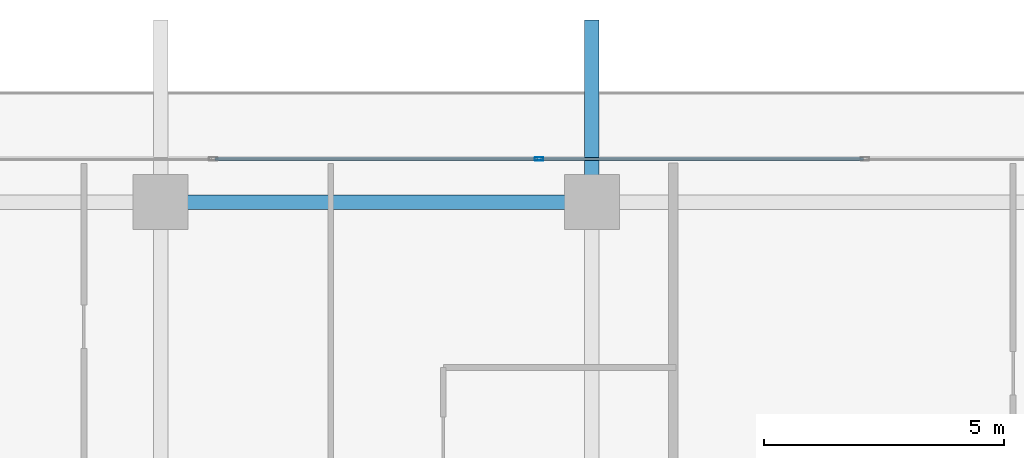
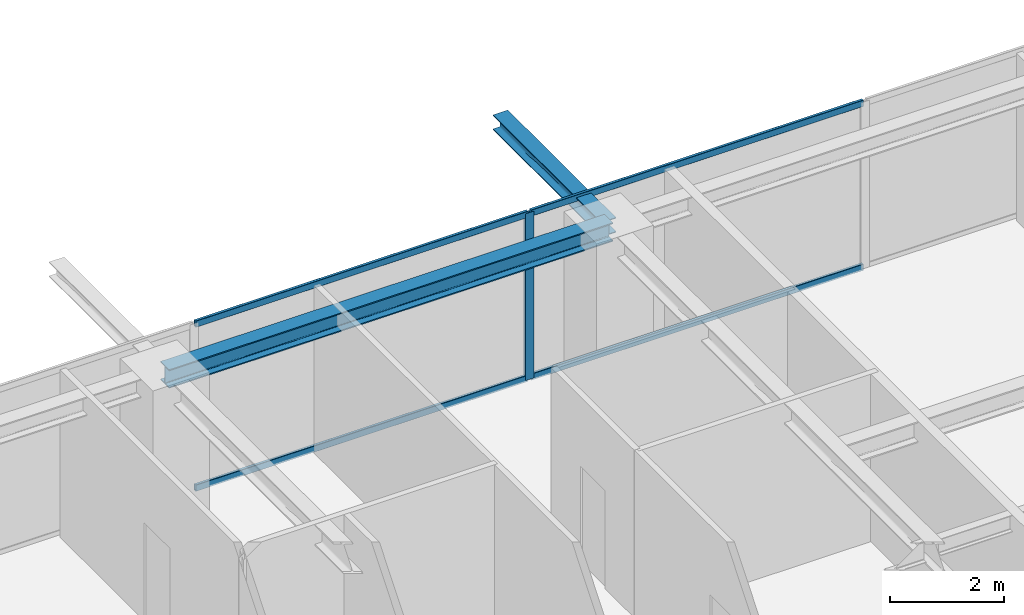
# One storey, part 21 of 38: 5 members, 2 beams, 1 element without a shape of its own.
"""IFC4 building model written with IfcOpenShell, lengths in metres."""

import ifcopenshell
import ifcopenshell.guid

model = None  # the IFC model being written
_history = None  # IfcOwnerHistory: only IFC2X3 demands one
_inside = {}  # id of a spatial element -> (the spatial element, [elements in it])
_under = {}  # id of a project, library or spatial element -> (it, [spatial elements below it])
_declared = {}  # id of a project -> (the project, [libraries it declares])
_typed = {}  # id of a type object -> (the type object, [elements of that type])
_made_of = {}  # id of a material, layer set ... -> (it, [elements and type objects made of it])


def new_model(schema):
    """Start an empty IFC model of exactly this schema.

    Asked for "IFC4X3", IfcOpenShell would pick the latest addendum, in which some entities
    have other attributes; the version numbers below select the first issue.
    IFC2X3 requires an IfcOwnerHistory on every rooted entity: one is made here for all.
    """
    global model, _history
    if schema == "IFC4X3":
        model = ifcopenshell.file(schema_version=(4, 3, 0, 0))
    else:
        model = ifcopenshell.file(schema=schema)
    _inside.clear()
    _under.clear()
    _declared.clear()
    _typed.clear()
    _made_of.clear()
    _history = None
    if model.schema == "IFC2X3":
        org = make("IfcOrganization", Name="unknown")
        user = make(
            "IfcPersonAndOrganization",
            ThePerson=make("IfcPerson", FamilyName="unknown"),
            TheOrganization=org,
        )
        app = make(
            "IfcApplication",
            ApplicationDeveloper=org,
            Version="unknown",
            ApplicationFullName="unknown",
            ApplicationIdentifier="unknown",
        )
        _history = make(
            "IfcOwnerHistory",
            OwningUser=user,
            OwningApplication=app,
            ChangeAction="ADDED",
            CreationDate=0,
        )
    return model


def make(cls, **values):
    """One entity of the class cls with the attributes given. An attribute that is None is left unset."""
    return model.create_entity(
        cls, **{name: value for name, value in values.items() if value is not None}
    )


def rooted(cls, **values):
    """An entity with a GlobalId (a new one), such as an element, a storey or a relation."""
    return make(cls, GlobalId=ifcopenshell.guid.new(), OwnerHistory=_history, **values)


def si_unit(unit_type, name, prefix=None):
    """IfcSIUnit, for example si_unit("LENGTHUNIT", "METRE", prefix="MILLI")."""
    return make("IfcSIUnit", UnitType=unit_type, Prefix=prefix, Name=name)


def assignment(units):
    """IfcUnitAssignment: the units of a project."""
    return None if units is None else make("IfcUnitAssignment", Units=units)


def point(xyz):
    """IfcCartesianPoint."""
    return None if xyz is None else make("IfcCartesianPoint", Coordinates=xyz)


def direction(xyz):
    """IfcDirection."""
    return None if xyz is None else make("IfcDirection", DirectionRatios=xyz)


def frame(location, z_axis=None, x_axis=None):
    """IfcAxis2Placement3D, a coordinate frame: its origin and axes. An axis left out is left unset."""
    return make(
        "IfcAxis2Placement3D",
        Location=point(location),
        Axis=direction(z_axis),
        RefDirection=direction(x_axis),
    )


def frame_2d(location, x_axis=None):
    """IfcAxis2Placement2D, a coordinate frame in the plane: its origin and x axis."""
    return make(
        "IfcAxis2Placement2D", Location=point(location), RefDirection=direction(x_axis)
    )


def origin():
    """The frame at (0, 0, 0) with its axes left unset."""
    return frame((0.0, 0.0, 0.0))


def origin_2d():
    """The frame at (0, 0) in the plane with its x axis left unset."""
    return frame_2d((0.0, 0.0))


def place(relative_to, where):
    """IfcLocalPlacement: puts the frame where relative to a parent placement (None: the world)."""
    return make(
        "IfcLocalPlacement", PlacementRelTo=relative_to, RelativePlacement=where
    )


def context(
    kind, dimensions, precision=None, world=None, true_north=None, identifier=None
):
    """IfcGeometricRepresentationContext, for example the 3D "Model" context."""
    return make(
        "IfcGeometricRepresentationContext",
        ContextIdentifier=identifier,
        ContextType=kind,
        CoordinateSpaceDimension=dimensions,
        Precision=precision,
        WorldCoordinateSystem=world,
        TrueNorth=true_north,
    )


def subcontext(parent, identifier, kind, view, scale=None):
    """IfcGeometricRepresentationSubContext, for example "Body" below "Model"."""
    return make(
        "IfcGeometricRepresentationSubContext",
        ContextIdentifier=identifier,
        ContextType=kind,
        ParentContext=parent,
        TargetScale=scale,
        TargetView=view,
    )


def project(units=None, contexts=None):
    """IfcProject with its units and contexts."""
    return rooted(
        "IfcProject",
        Name="project",
        RepresentationContexts=contexts,
        UnitsInContext=assignment(units),
    )


def spatial(cls, under=None, at=None, **own):
    """A site, building, storey or space (cls), placed at a placement, below another one or the project."""
    s = rooted(cls, ObjectPlacement=at, **own)
    if under is not None:
        _under.setdefault(under.id(), (under, []))[1].append(s)
    return s


def profile(cls, at=None, kind="AREA", **sizes):
    """A parametric profile (cls). Its sizes go by their IFC names, for example OverallWidth=200.0."""
    return make(cls, ProfileType=kind, Position=at, **sizes)


def hollow_rectangle(**sizes):
    """IfcRectangleHollowProfileDef."""
    return profile("IfcRectangleHollowProfileDef", **sizes)


def i_section(**sizes):
    """IfcIShapeProfileDef."""
    return profile("IfcIShapeProfileDef", **sizes)


def extrude(swept, where, along, depth):
    """IfcExtrudedAreaSolid: the profile swept, set in the frame where, extruded along a direction by depth."""
    return make(
        "IfcExtrudedAreaSolid",
        SweptArea=swept,
        Position=where,
        ExtrudedDirection=direction(along),
        Depth=depth,
    )


def shape(context_of_items, identifier, shape_type, items):
    """IfcShapeRepresentation: the items that make up one representation, for example the "Body"."""
    return make(
        "IfcShapeRepresentation",
        ContextOfItems=context_of_items,
        RepresentationIdentifier=identifier,
        RepresentationType=shape_type,
        Items=items,
    )


def source(mapping_origin, context_of_items, identifier, shape_type, items):
    """IfcRepresentationMap: a shape defined once, which mapped items show again and again."""
    return make(
        "IfcRepresentationMap",
        MappingOrigin=mapping_origin,
        MappedRepresentation=shape(context_of_items, identifier, shape_type, items),
    )


def transform(
    local_origin,
    x_axis=None,
    y_axis=None,
    z_axis=None,
    scale=None,
    scale2=None,
    scale3=None,
    uniform=True,
):
    """IfcCartesianTransformationOperator3D, or its non-uniform kind. x_axis, y_axis, z_axis: its Axis1, 2, 3."""
    if uniform:
        return make(
            "IfcCartesianTransformationOperator3D",
            Axis1=direction(x_axis),
            Axis2=direction(y_axis),
            LocalOrigin=point(local_origin),
            Scale=scale,
            Axis3=direction(z_axis),
        )
    return make(
        "IfcCartesianTransformationOperator3DnonUniform",
        Axis1=direction(x_axis),
        Axis2=direction(y_axis),
        LocalOrigin=point(local_origin),
        Scale=scale,
        Axis3=direction(z_axis),
        Scale2=scale2,
        Scale3=scale3,
    )


def mapped(mapping_source, mapping_target):
    """IfcMappedItem: shows the shape of a source again, moved by a transform."""
    return make(
        "IfcMappedItem", MappingSource=mapping_source, MappingTarget=mapping_target
    )


def material(Name=None, Category=None):
    """IfcMaterial."""
    return make("IfcMaterial", Name=Name, Category=Category)


def layer(
    of_material, thickness, ventilated=None, Name=None, Category=None, Priority=None
):
    """IfcMaterialLayer: one layer of a wall or slab, of a material (None: an air gap)."""
    return make(
        "IfcMaterialLayer",
        Material=of_material,
        LayerThickness=thickness,
        IsVentilated=ventilated,
        Name=Name,
        Category=Category,
        Priority=Priority,
    )


def layer_set(layers, Name=None):
    """IfcMaterialLayerSet."""
    return make("IfcMaterialLayerSet", MaterialLayers=layers, LayerSetName=Name)


def material_profile(
    of_material, cross_section, Name=None, Category=None, Priority=None
):
    """IfcMaterialProfile: a cross section and its material."""
    return make(
        "IfcMaterialProfile",
        Name=Name,
        Material=of_material,
        Profile=cross_section,
        Priority=Priority,
        Category=Category,
    )


def profile_set(profiles, Name=None, composite=None):
    """IfcMaterialProfileSet."""
    return make(
        "IfcMaterialProfileSet",
        Name=Name,
        MaterialProfiles=profiles,
        CompositeProfile=composite,
    )


def made_of(thing, what):
    """Note that an element or type object is made of a material, layer set ...; save() writes the relation."""
    if what is not None:
        _made_of.setdefault(what.id(), (what, []))[1].append(thing)
    return thing


def type_object(cls, material=None, **own):
    """A type object (cls), such as IfcWallType, which elements share."""
    return made_of(rooted(cls, **own), material)


def element(
    cls,
    number,
    at=None,
    inside=None,
    cuts=None,
    type_object=None,
    material=None,
    context=None,
    identifier="Body",
    shape_type=None,
    held_by="IfcProductDefinitionShape",
    body=None,
    shapes=None,
    **own,
):
    """One element of the class cls, such as IfcWall. Its Tag is "e" and its number.

    at: its placement. inside: the storey or other place that contains it. cuts: it is an
    opening in that element (IfcRelVoidsElement). A single representation is given by context,
    identifier, shape_type and body (its items); several are given by shapes. held_by: the class
    of the entity that holds the representations. save() writes the other relations.
    """
    e = rooted(cls, Tag="e%d" % number, ObjectPlacement=at, **own)
    if body is not None:
        shapes = [shape(context, identifier, shape_type, body)]
    if shapes is not None:
        e.Representation = make(held_by, Representations=shapes)
    if inside is not None:
        _inside.setdefault(inside.id(), (inside, []))[1].append(e)
    if cuts is not None:
        rooted(
            "IfcRelVoidsElement", RelatingBuildingElement=cuts, RelatedOpeningElement=e
        )
    if type_object is not None:
        _typed.setdefault(type_object.id(), (type_object, []))[1].append(e)
    return made_of(e, material)


def aggregate(whole, parts):
    """IfcRelAggregates: a whole, such as a stair, and the parts it consists of."""
    return rooted("IfcRelAggregates", RelatingObject=whole, RelatedObjects=parts)


def save(model, path):
    """Write the relations noted so far, then the file.

    IfcRelAggregates (storeys below a building ...), IfcRelContainedInSpatialStructure (elements
    in a storey), IfcRelDefinesByType, IfcRelAssociatesMaterial and IfcRelDeclares: one each for
    every whole, place, type object, material and project.
    """
    for whole, parts in _under.values():
        aggregate(whole, parts)
    for where, things in _inside.values():
        rooted(
            "IfcRelContainedInSpatialStructure",
            RelatedElements=things,
            RelatingStructure=where,
        )
    for kind, things in _typed.values():
        rooted("IfcRelDefinesByType", RelatedObjects=things, RelatingType=kind)
    for what, things in _made_of.values():
        rooted("IfcRelAssociatesMaterial", RelatedObjects=things, RelatingMaterial=what)
    for by, libraries in _declared.values():
        rooted("IfcRelDeclares", RelatingContext=by, RelatedDefinitions=libraries)
    model.write(path)


model = new_model("IFC4")

# Units and contexts
model_context = context("Model", 3, precision=1e-05, world=origin(), true_north=direction((0.0, 1.0)))
body_context = subcontext(model_context, "Body", "Model", "MODEL_VIEW")
ifc_project = project(units=[si_unit("LENGTHUNIT", "METRE"), si_unit("AREAUNIT", "SQUARE_METRE"), si_unit("VOLUMEUNIT", "CUBIC_METRE"), si_unit("PLANEANGLEUNIT", "RADIAN"), si_unit("MASSUNIT", "GRAM", prefix="KILO")], contexts=[model_context])

# Site, building, storey
site_placement = place(None, origin())
site = spatial("IfcSite", under=ifc_project, at=site_placement, CompositionType="ELEMENT")
building_placement = place(site_placement, origin())
building = spatial("IfcBuilding", under=site, at=building_placement, Name="Serunith Strait Residences", CompositionType="ELEMENT")
storey_placement = place(building_placement, frame((0.0, 0.0, 245.10009765625)))
storey = spatial("IfcBuildingStorey", under=building, at=storey_placement, Name="L61", CompositionType="ELEMENT", Elevation=245.10009765625)

# Beams
ifc_material_1 = material(Name="Steel S355J2", Category="steel")
ifc_material_profile_1 = material_profile(ifc_material_1, i_section(OverallWidth=0.300048828125, OverallDepth=0.39990234375, WebThickness=0.013427734375, FlangeThickness=0.02392578125, FilletRadius=0.027099609375, at=origin_2d()), Name="HEB 400")
ifc_profile_set_1 = profile_set([ifc_material_profile_1], Name="Steel S355J2")
beam_type_1 = type_object("IfcBeamType", Name="BM-HEB400", PredefinedType="BEAM", material=ifc_profile_set_1)
shared_shape_1 = source(origin(), body_context, "Body", "SweptSolid", [
    extrude(i_section(OverallWidth=0.300048828125, OverallDepth=0.39990234375, WebThickness=0.013427734375, FlangeThickness=0.02392578125, FilletRadius=0.027099609375, at=origin_2d()), origin(), (0.0, 0.0, 1.0), 9.0),
])
beam_1_placement = place(storey_placement, frame((36.89990234375, 48.300048828125, 3.386962890625), z_axis=(-1.0, 0.0, 0.0), x_axis=(0.0, -1.0, 0.0)))
element("IfcBeam", 1, at=beam_1_placement, inside=storey, type_object=beam_type_1, Name="L61 Perimeter Ring Beam 10", PredefinedType="BEAM", context=body_context, shape_type="MappedRepresentation", body=[
    mapped(shared_shape_1, transform((0.0, 0.0, 0.0), scale=1.0)),
])
ifc_material_profile_2 = material_profile(ifc_material_1, i_section(OverallWidth=0.300048828125, OverallDepth=0.320068359375, WebThickness=0.011474609375, FlangeThickness=0.0205078125, FilletRadius=0.027099609375, at=origin_2d()), Name="HEB 320")
ifc_profile_set_2 = profile_set([ifc_material_profile_2], Name="Steel S355J2")
beam_type_2 = type_object("IfcBeamType", Name="BM-HEB320", PredefinedType="BEAM", material=ifc_profile_set_2)
shared_shape_2 = source(origin(), body_context, "Body", "SweptSolid", [
    extrude(i_section(OverallWidth=0.300048828125, OverallDepth=0.320068359375, WebThickness=0.011474609375, FlangeThickness=0.0205078125, FilletRadius=0.027099609375, at=origin_2d()), origin(), (0.0, 0.0, 1.0), 3.800048828125),
])
beam_2_placement = place(storey_placement, frame((36.89990234375, 48.300048828125, 3.39697265625), z_axis=(0.0, 1.0, 0.0), x_axis=(-1.0, 0.0, 0.0)))
element("IfcBeam", 2, at=beam_2_placement, inside=storey, type_object=beam_type_2, Name="L62 Cantilevered Balcony Rib TC-N3", PredefinedType="BEAM", context=body_context, shape_type="MappedRepresentation", body=[
    mapped(shared_shape_2, transform((0.0, 0.0, 0.0), scale=1.0)),
])

# Curtain wall, members
ifc_material_2 = material(Name="Pale-Champagne Anodised Aluminium", Category="aluminium")
ifc_layer = layer(ifc_material_2, 0.199951171875, Name="Pale-Champagne Anodised Aluminium")
ifc_layer_set = layer_set([ifc_layer], Name="Pale-Champagne Anodised Aluminium")
curtain_wall_type = type_object("IfcCurtainWallType", Name="CW-SYS4", PredefinedType="NOTDEFINED", material=ifc_layer_set)
curtain_wall_placement = place(storey_placement, origin())
curtain_wall = element("IfcCurtainWall", 3, at=curtain_wall_placement, inside=storey, type_object=curtain_wall_type, Name="L61 N Unitised Fritted Curtain Wall", PredefinedType="NOTDEFINED")
ifc_material_profile_3 = material_profile(ifc_material_2, hollow_rectangle(XDim=0.06494140625, YDim=0.179931640625, WallThickness=0.00341796875, InnerFilletRadius=0.00537109375, OuterFilletRadius=0.0087890625, at=origin_2d()), Name="ALU 180x65x3.5")
ifc_profile_set_3 = profile_set([ifc_material_profile_3], Name="Pale-Champagne Anodised Aluminium")
member_type_1 = type_object("IfcMemberType", Name="CW-SYS4-MULL", PredefinedType="MULLION", material=ifc_profile_set_3)
shared_shape_3 = source(origin(), body_context, "Body", "SweptSolid", [
    extrude(hollow_rectangle(XDim=0.06494140625, YDim=0.179931640625, WallThickness=0.00341796875, InnerFilletRadius=0.00537109375, OuterFilletRadius=0.0087890625, at=origin_2d()), origin(), (0.0, 0.0, 1.0), 3.574951171875),
])
member_1_placement = place(storey_placement, frame((35.800048828125, 49.199951171875, 0.0), z_axis=(0.0, 0.0, 1.0), x_axis=(0.0, -1.0, 0.0)))
member_1 = element("IfcMember", 4, at=member_1_placement, type_object=member_type_1, Name="CW-4 mullion 3", PredefinedType="MULLION", context=body_context, shape_type="MappedRepresentation", body=[
    mapped(shared_shape_3, transform((0.0, 0.0, 0.0), scale=1.0)),
])
ifc_material_profile_4 = material_profile(ifc_material_2, hollow_rectangle(XDim=0.06005859375, YDim=0.139892578125, WallThickness=0.00341796875, InnerFilletRadius=0.00537109375, OuterFilletRadius=0.0087890625, at=origin_2d()), Name="ALU 140x60x3.5")
ifc_profile_set_4 = profile_set([ifc_material_profile_4], Name="Pale-Champagne Anodised Aluminium")
member_type_2 = type_object("IfcMemberType", Name="CW-SYS4-TRAN", PredefinedType="USERDEFINED", material=ifc_profile_set_4)
shared_shape_4 = source(origin(), body_context, "Body", "SweptSolid", [
    extrude(hollow_rectangle(XDim=0.06005859375, YDim=0.139892578125, WallThickness=0.00341796875, InnerFilletRadius=0.00537109375, OuterFilletRadius=0.0087890625, at=origin_2d()), origin(), (0.0, 0.0, 1.0), 6.73486328125),
])
member_2_placement = place(storey_placement, frame((42.5673828125, 49.199951171875, 0.02978515625), z_axis=(-1.0, 0.0, 0.0), x_axis=(0.0, -1.0, 0.0)))
member_2 = element("IfcMember", 5, at=member_2_placement, type_object=member_type_2, Name="CW-4 transom 2.1", ObjectType="TRANSOM", PredefinedType="USERDEFINED", context=body_context, shape_type="MappedRepresentation", body=[
    mapped(shared_shape_4, transform((0.0, 0.0, 0.0), scale=1.0)),
])
member_3_placement = place(storey_placement, frame((42.5673828125, 49.199951171875, 3.544921875), z_axis=(-1.0, 0.0, 0.0), x_axis=(0.0, -1.0, 0.0)))
member_3 = element("IfcMember", 6, at=member_3_placement, type_object=member_type_2, Name="CW-4 transom 2.2", ObjectType="TRANSOM", PredefinedType="USERDEFINED", context=body_context, shape_type="MappedRepresentation", body=[
    mapped(shared_shape_4, transform((0.0, 0.0, 0.0), scale=1.0)),
])
shared_shape_5 = source(origin(), body_context, "Body", "SweptSolid", [
    extrude(hollow_rectangle(XDim=0.06005859375, YDim=0.139892578125, WallThickness=0.00341796875, InnerFilletRadius=0.00537109375, OuterFilletRadius=0.0087890625, at=origin_2d()), origin(), (0.0, 0.0, 1.0), 6.735107421875),
])
member_4_placement = place(storey_placement, frame((35.767578125, 49.199951171875, 0.02978515625), z_axis=(-1.0, 0.0, 0.0), x_axis=(0.0, -1.0, 0.0)))
member_4 = element("IfcMember", 7, at=member_4_placement, type_object=member_type_2, Name="CW-4 transom 3.1", ObjectType="TRANSOM", PredefinedType="USERDEFINED", context=body_context, shape_type="MappedRepresentation", body=[
    mapped(shared_shape_5, transform((0.0, 0.0, 0.0), scale=1.0)),
])
member_5_placement = place(storey_placement, frame((35.767578125, 49.199951171875, 3.544921875), z_axis=(-1.0, 0.0, 0.0), x_axis=(0.0, -1.0, 0.0)))
member_5 = element("IfcMember", 8, at=member_5_placement, type_object=member_type_2, Name="CW-4 transom 3.2", ObjectType="TRANSOM", PredefinedType="USERDEFINED", context=body_context, shape_type="MappedRepresentation", body=[
    mapped(shared_shape_5, transform((0.0, 0.0, 0.0), scale=1.0)),
])
aggregate(curtain_wall, [member_1, member_2, member_3, member_4, member_5])

save(model, "model.ifc")
